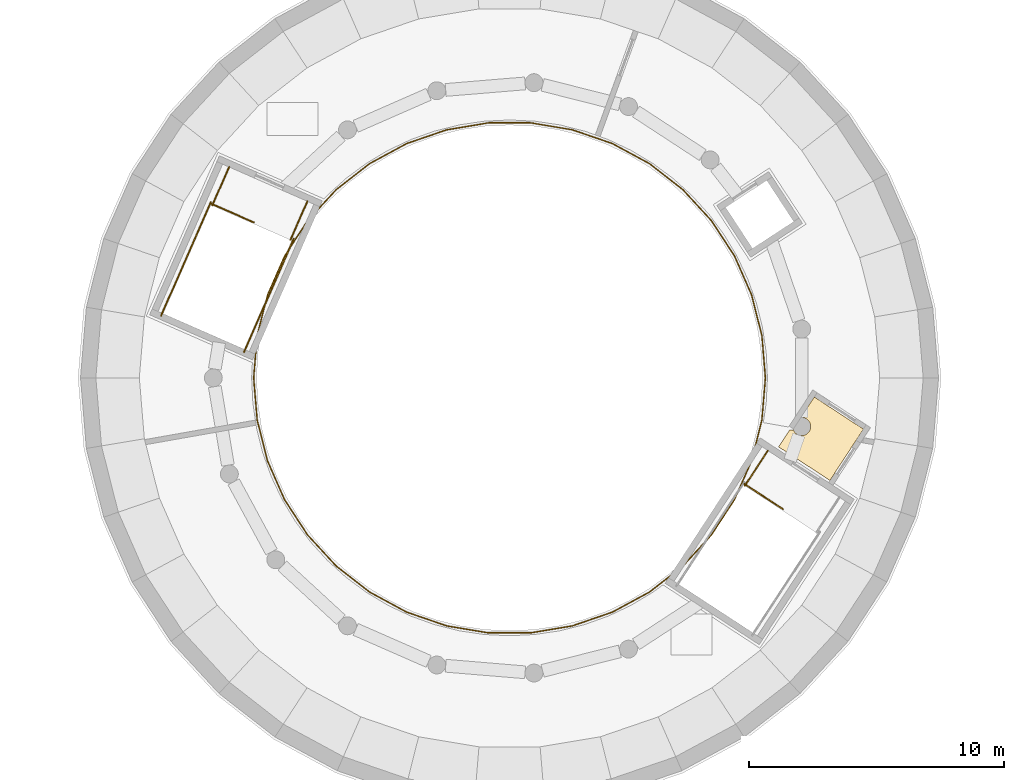
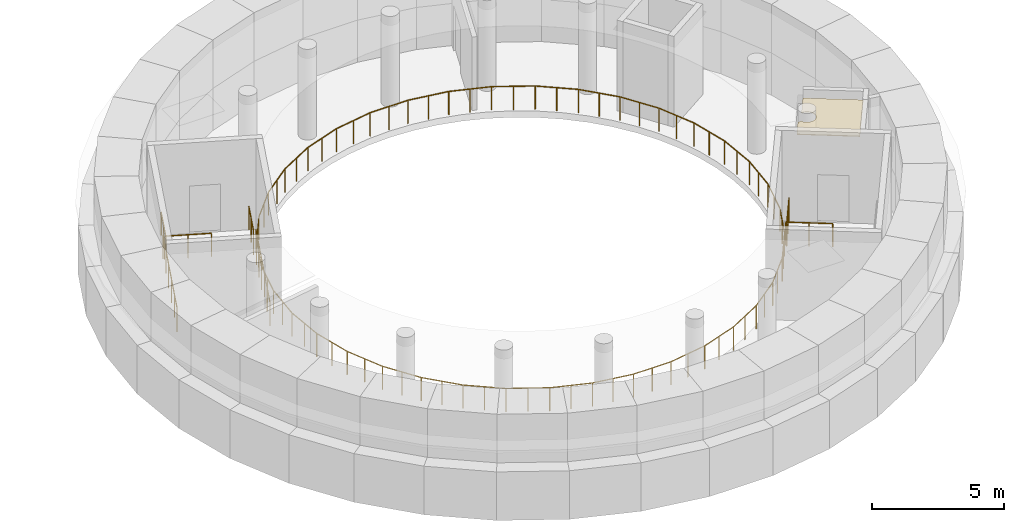
# One storey, part 87 of 92: 8 railings, 1 covering.
"""IFC4 building model written with IfcOpenShell, lengths in metres."""

from ifc_helpers import new_model, si_unit, direction, frame, origin, origin_2d, place, context, subcontext, project, spatial, polyline, circle, outline, extrude, material, layer, layer_set, type_object, element, save


model = new_model("IFC4")

# Units and contexts
model_context = context("Model", 3, precision=1e-05, world=origin(), true_north=direction((0.0, 1.0)))
body_context = subcontext(model_context, "Body", "Model", "MODEL_VIEW")
ifc_project = project(units=[si_unit("LENGTHUNIT", "METRE"), si_unit("AREAUNIT", "SQUARE_METRE"), si_unit("VOLUMEUNIT", "CUBIC_METRE"), si_unit("PLANEANGLEUNIT", "RADIAN"), si_unit("MASSUNIT", "GRAM", prefix="KILO")], contexts=[model_context])

# Site, building, storey
site_placement = place(None, origin())
site = spatial("IfcSite", under=ifc_project, at=site_placement, CompositionType="ELEMENT")
building_placement = place(site_placement, origin())
building = spatial("IfcBuilding", under=site, at=building_placement, Name="Sun Court Science Centre", CompositionType="ELEMENT")
storey_placement = place(building_placement, frame((0.0, 0.0, 11.25)))
storey = spatial("IfcBuildingStorey", under=building, at=storey_placement, Name="L02", CompositionType="ELEMENT", Elevation=11.25)

# Covering
ifc_material_1 = material(Name="Gypsum board")
ifc_layer = layer(ifc_material_1, 0.030029296875)
ifc_layer_set = layer_set([ifc_layer], Name="Gypsum board")
covering_type = type_object("IfcCoveringType", Name="Ceiling suspended 600 module", PredefinedType="CEILING", material=ifc_layer_set)
covering_placement = place(storey_placement, frame((0.0, 0.0, 3.77001953125)))
element("IfcCovering", 1, at=covering_placement, inside=storey, type_object=covering_type, Name="L02-064 ceiling", PredefinedType="CEILING", context=body_context, shape_type="SweptSolid", body=[
    extrude(outline(polyline([(61.972900390625, 94.763671875), (62.080078125, 94.74462890625), (62.107666015625, 94.787109375), (62.118408203125, 94.7568359375), (62.1279296875, 94.73583984375), (62.138671875, 94.7158203125), (62.15087890625, 94.6962890625), (62.1640625, 94.677490234375), (62.1787109375, 94.659912109375), (62.1943359375, 94.643310546875), (62.2109375, 94.627685546875), (62.228759765625, 94.613037109375), (62.247314453125, 94.599609375), (62.266845703125, 94.587646484375), (62.287109375, 94.576904296875), (62.307861328125, 94.5673828125), (62.329345703125, 94.559326171875), (62.351318359375, 94.552490234375), (62.37353515625, 94.54736328125), (62.39599609375, 94.543701171875), (62.4189453125, 94.54150390625), (62.44189453125, 94.540771484375), (62.464599609375, 94.54150390625), (62.487548828125, 94.543701171875), (62.510009765625, 94.54736328125), (62.532470703125, 94.552490234375), (62.55419921875, 94.559326171875), (62.57568359375, 94.5673828125), (62.5966796875, 94.576904296875), (62.61669921875, 94.587646484375), (62.63623046875, 94.599609375), (62.65478515625, 94.613037109375), (62.672607421875, 94.627685546875), (62.689208984375, 94.643310546875), (62.704833984375, 94.659912109375), (62.719482421875, 94.677490234375), (62.73291015625, 94.6962890625), (62.744873046875, 94.7158203125), (62.755615234375, 94.73583984375), (62.76513671875, 94.7568359375), (62.773193359375, 94.7783203125), (62.77978515625, 94.800048828125), (62.78515625, 94.822509765625), (62.788818359375, 94.844970703125), (62.791015625, 94.867919921875), (62.791748046875, 94.890625), (62.791015625, 94.91357421875), (62.788818359375, 94.936279296875), (62.78515625, 94.958984375), (62.77978515625, 94.981201171875), (62.773193359375, 95.003173828125), (62.76513671875, 95.024658203125), (62.755615234375, 95.04541015625), (62.744873046875, 95.065673828125), (62.73291015625, 95.085205078125), (62.719482421875, 95.103759765625), (62.704833984375, 95.12158203125), (62.689208984375, 95.13818359375), (62.672607421875, 95.15380859375), (62.65478515625, 95.16845703125), (62.63623046875, 95.181640625), (62.61669921875, 95.19384765625), (62.5966796875, 95.20458984375), (62.57568359375, 95.214111328125), (62.55419921875, 95.22216796875), (62.532470703125, 95.228759765625), (62.510009765625, 95.23388671875), (62.487548828125, 95.23779296875), (62.464599609375, 95.239990234375), (62.44189453125, 95.24072265625), (62.4189453125, 95.239990234375), (62.402587890625, 95.23828125), (62.93359375, 96.051025390625), (64.85888671875, 94.79296875), (63.54638671875, 92.78369140625), (61.537109375, 94.096435546875), (61.972900390625, 94.763671875)])), origin(), (0.0, 0.0, 1.0), 0.030029296875),
])

# Railings
ifc_material_2 = material(Name="Steel S275", Category="steel")
railing_type_1 = type_object("IfcRailingType", Name="Guard 1100 steel balustrade", PredefinedType="GUARDRAIL", material=ifc_material_2)
railing_1_placement = place(storey_placement, frame((60.201171875, 92.642333984375, 0.0)))
element("IfcRailing", 2, at=railing_1_placement, inside=storey, type_object=railing_type_1, Name="L02 PS1 top well guard 1", PredefinedType="GUARDRAIL", context=body_context, shape_type="SweptSolid", body=[
    extrude(circle(Radius=0.02392578125, at=origin_2d()), frame((0.0, 0.0, 1.076171875), z_axis=(0.837194382645, -0.546905444906, 0.0), x_axis=(0.546905444906, 0.837194382645, 0.0)), (0.0, 0.0, 1.0), 1.798095703125),
    extrude(circle(Radius=0.02099609375, at=origin_2d()), origin(), (0.0, 0.0, 1.0), 1.052001953125),
    extrude(circle(Radius=0.02099609375, at=origin_2d()), frame((0.752685546875, -0.49169921875, 0.0)), (0.0, 0.0, 1.0), 1.052001953125),
    extrude(circle(Radius=0.02099609375, at=origin_2d()), frame((1.50537109375, -0.9833984375, 0.0)), (0.0, 0.0, 1.0), 1.052001953125),
])
railing_2_placement = place(storey_placement, frame((61.1171875, 93.952880859375, 0.0)))
element("IfcRailing", 3, at=railing_2_placement, inside=storey, type_object=railing_type_1, Name="L02 PS1 top well guard 4", PredefinedType="GUARDRAIL", context=body_context, shape_type="SweptSolid", body=[
    extrude(circle(Radius=0.02392578125, at=origin_2d()), frame((0.0, 0.0, 1.076171875), z_axis=(-0.546949968366, -0.837165295568, 0.0), x_axis=(0.837165295568, -0.546949968366, 0.0)), (0.0, 0.0, 1.0), 1.64794921875),
    extrude(circle(Radius=0.02099609375, at=origin_2d()), origin(), (0.0, 0.0, 1.0), 1.052001953125),
    extrude(circle(Radius=0.02099609375, at=origin_2d()), frame((-0.45068359375, -0.68994140625, 0.0)), (0.0, 0.0, 1.0), 1.052001953125),
    extrude(circle(Radius=0.02099609375, at=origin_2d()), frame((-0.9013671875, -1.379638671875, 0.0)), (0.0, 0.0, 1.0), 1.052001953125),
])
railing_3_placement = place(storey_placement, frame((39.3310546875, 103.61328125, 0.0)))
element("IfcRailing", 4, at=railing_3_placement, inside=storey, type_object=railing_type_1, Name="L02 PS2 top well guard 1", PredefinedType="GUARDRAIL", context=body_context, shape_type="SweptSolid", body=[
    extrude(circle(Radius=0.02392578125, at=origin_2d()), frame((0.0, 0.0, 1.076171875), z_axis=(0.915732995929, -0.401787356903, 0.0), x_axis=(0.401787356903, 0.915732995929, 0.0)), (0.0, 0.0, 1.0), 1.798095703125),
    extrude(circle(Radius=0.02099609375, at=origin_2d()), origin(), (0.0, 0.0, 1.0), 1.052001953125),
    extrude(circle(Radius=0.02099609375, at=origin_2d()), frame((0.8232421875, -0.361328125, 0.0)), (0.0, 0.0, 1.0), 1.052001953125),
    extrude(circle(Radius=0.02099609375, at=origin_2d()), frame((1.646484375, -0.722412109375, 0.0)), (0.0, 0.0, 1.0), 1.052001953125),
])
for number, where, name in (
    (5, (39.305419921875, 103.67919921875, 0.0), "L02 PS2 top well guard 2"),
    (6, (42.552734375, 102.254638671875, 0.0), "L02 PS2 top well guard 3"),
):
    element("IfcRailing", number, at=place(storey_placement, frame(where)), inside=storey, type_object=railing_type_1, Name=name, PredefinedType="GUARDRAIL", context=body_context, shape_type="SweptSolid", body=[
        extrude(circle(Radius=0.02392578125, at=origin_2d()), frame((0.0, 0.0, 1.076171875), z_axis=(-0.401726643108, -0.915759632336, 0.0), x_axis=(0.915759632336, -0.401726643108, 0.0)), (0.0, 0.0, 1.0), 4.85205078125),
        extrude(circle(Radius=0.02099609375, at=origin_2d()), origin(), (0.0, 0.0, 1.0), 1.052001953125),
        extrude(circle(Radius=0.02099609375, at=origin_2d()), frame((-0.389892578125, -0.888671875, 0.0)), (0.0, 0.0, 1.0), 1.052001953125),
        extrude(circle(Radius=0.02099609375, at=origin_2d()), frame((-0.77978515625, -1.77734375, 0.0)), (0.0, 0.0, 1.0), 1.052001953125),
        extrude(circle(Radius=0.02099609375, at=origin_2d()), frame((-1.16943359375, -2.666015625, 0.0)), (0.0, 0.0, 1.0), 1.052001953125),
        extrude(circle(Radius=0.02099609375, at=origin_2d()), frame((-1.559326171875, -3.5546875, 0.0)), (0.0, 0.0, 1.0), 1.052001953125),
        extrude(circle(Radius=0.02099609375, at=origin_2d()), frame((-1.94921875, -4.443359375, 0.0)), (0.0, 0.0, 1.0), 1.052001953125),
    ])
railing_4_placement = place(storey_placement, frame((40.018798828125, 105.056640625, 0.0)))
element("IfcRailing", 7, at=railing_4_placement, inside=storey, type_object=railing_type_1, Name="L02 PS2 top well guard 4", PredefinedType="GUARDRAIL", context=body_context, shape_type="SweptSolid", body=[
    extrude(circle(Radius=0.02392578125, at=origin_2d()), frame((0.0, 0.0, 1.076171875), z_axis=(-0.401735598305, -0.915755703807, 0.0), x_axis=(0.915755703807, -0.401735598305, 0.0)), (0.0, 0.0, 1.0), 1.648193359375),
    extrude(circle(Radius=0.02099609375, at=origin_2d()), origin(), (0.0, 0.0, 1.0), 1.052001953125),
    extrude(circle(Radius=0.02099609375, at=origin_2d()), frame((-0.3310546875, -0.754638671875, 0.0)), (0.0, 0.0, 1.0), 1.052001953125),
    extrude(circle(Radius=0.02099609375, at=origin_2d()), frame((-0.662109375, -1.50927734375, 0.0)), (0.0, 0.0, 1.0), 1.052001953125),
])
railing_5_placement = place(storey_placement, frame((43.082763671875, 103.71240234375, 0.0)))
element("IfcRailing", 8, at=railing_5_placement, inside=storey, type_object=railing_type_1, Name="L02 PS2 top well guard 5", PredefinedType="GUARDRAIL", context=body_context, shape_type="SweptSolid", body=[
    extrude(circle(Radius=0.02392578125, at=origin_2d()), frame((0.0, 0.0, 1.076171875), z_axis=(-0.401665855022, -0.915786296529, 0.0), x_axis=(0.915786296529, -0.401665855022, 0.0)), (0.0, 0.0, 1.0), 1.647705078125),
    extrude(circle(Radius=0.02099609375, at=origin_2d()), origin(), (0.0, 0.0, 1.0), 1.052001953125),
    extrude(circle(Radius=0.02099609375, at=origin_2d()), frame((-0.3310546875, -0.75439453125, 0.0)), (0.0, 0.0, 1.0), 1.052001953125),
    extrude(circle(Radius=0.02099609375, at=origin_2d()), frame((-0.661865234375, -1.509033203125, 0.0)), (0.0, 0.0, 1.0), 1.052001953125),
])
ifc_material_3 = material(Name="Steel S275", Category="steel")
railing_type_2 = type_object("IfcRailingType", Name="Guard 1100 well balustrade", PredefinedType="GUARDRAIL", material=ifc_material_3)
railing_6_placement = place(storey_placement, frame((60.88330078125, 98.44921875, 0.0)))
element("IfcRailing", 9, at=railing_6_placement, inside=storey, type_object=railing_type_2, Name="Planetarium gallery guard L02", PredefinedType="GUARDRAIL", context=body_context, shape_type="SweptSolid", body=[
    extrude(circle(Radius=0.02392578125, at=origin_2d()), frame((0.0, 0.0, 1.076171875), z_axis=(-0.245485044734, 0.969400377972, 0.0), x_axis=(-0.969400377972, -0.245485044734, 0.0)), (0.0, 0.0, 1.0), 1.65478515625),
    extrude(circle(Radius=0.02392578125, at=origin_2d()), frame((-0.40625, 1.604248046875, 1.076171875), z_axis=(-0.401685370109, 0.915777736921, 0.0), x_axis=(-0.915777736921, -0.401685370109, 0.0)), (0.0, 0.0, 1.0), 1.655029296875),
    extrude(circle(Radius=0.02392578125, at=origin_2d()), frame((-1.071044921875, 3.119873046875, 1.076171875), z_axis=(-0.546947205262, 0.837167100797, 0.0), x_axis=(-0.837167100797, -0.546947205262, 0.0)), (0.0, 0.0, 1.0), 1.65478515625),
    extrude(circle(Radius=0.02392578125, at=origin_2d()), frame((-1.97607421875, 4.505126953125, 1.076171875), z_axis=(-0.677292998074, 0.735713391722, 0.0), x_axis=(-0.735713391722, -0.677292998074, 0.0)), (0.0, 0.0, 1.0), 1.65478515625),
    extrude(circle(Radius=0.02392578125, at=origin_2d()), frame((-3.096923828125, 5.72265625, 1.076171875), z_axis=(-0.789090011896, 0.614277586378, 0.0), x_axis=(-0.614277586378, -0.789090011896, 0.0)), (0.0, 0.0, 1.0), 1.655029296875),
    extrude(circle(Radius=0.02392578125, at=origin_2d()), frame((-4.40283203125, 6.7392578125, 1.076171875), z_axis=(-0.879502959788, 0.475893416349, 0.0), x_axis=(-0.475893416349, -0.879502959788, 0.0)), (0.0, 0.0, 1.0), 1.655029296875),
    extrude(circle(Radius=0.02392578125, at=origin_2d()), frame((-5.8583984375, 7.52685546875, 1.076171875), z_axis=(-0.945812669193, 0.32471278816, 0.0), x_axis=(-0.32471278816, -0.945812669193, 0.0)), (0.0, 0.0, 1.0), 1.65478515625),
    extrude(circle(Radius=0.02392578125, at=origin_2d()), frame((-7.423583984375, 8.064208984375, 1.076171875), z_axis=(-0.986354023125, 0.164638212654, 0.0), x_axis=(-0.164638212654, -0.986354023125, 0.0)), (0.0, 0.0, 1.0), 1.65478515625),
    extrude(circle(Radius=0.02392578125, at=origin_2d()), frame((-9.055908203125, 8.336669921875, 1.076171875), z_axis=(-1.0, 0.0, 0.0), x_axis=(0.0, -1.0, 0.0)), (0.0, 0.0, 1.0), 1.65478515625),
    extrude(circle(Radius=0.02392578125, at=origin_2d()), frame((-10.710693359375, 8.336669921875, 1.076171875), z_axis=(-0.986354023125, -0.164638212654, 0.0), x_axis=(0.164638212654, -0.986354023125, 0.0)), (0.0, 0.0, 1.0), 1.65478515625),
    extrude(circle(Radius=0.02392578125, at=origin_2d()), frame((-12.343017578125, 8.064208984375, 1.076171875), z_axis=(-0.945812669193, -0.32471278816, 0.0), x_axis=(0.32471278816, -0.945812669193, 0.0)), (0.0, 0.0, 1.0), 1.65478515625),
    extrude(circle(Radius=0.02392578125, at=origin_2d()), frame((-13.908203125, 7.52685546875, 1.076171875), z_axis=(-0.879502959788, -0.475893416349, 0.0), x_axis=(0.475893416349, -0.879502959788, 0.0)), (0.0, 0.0, 1.0), 1.655029296875),
    extrude(circle(Radius=0.02392578125, at=origin_2d()), frame((-15.36376953125, 6.7392578125, 1.076171875), z_axis=(-0.789090011896, -0.614277586378, 0.0), x_axis=(0.614277586378, -0.789090011896, 0.0)), (0.0, 0.0, 1.0), 1.655029296875),
    extrude(circle(Radius=0.02392578125, at=origin_2d()), frame((-16.669677734375, 5.72265625, 1.076171875), z_axis=(-0.677292998074, -0.735713391722, 0.0), x_axis=(0.735713391722, -0.677292998074, 0.0)), (0.0, 0.0, 1.0), 1.65478515625),
    extrude(circle(Radius=0.02392578125, at=origin_2d()), frame((-17.79052734375, 4.505126953125, 1.076171875), z_axis=(-0.546947205262, -0.837167100797, 0.0), x_axis=(0.837167100797, -0.546947205262, 0.0)), (0.0, 0.0, 1.0), 1.65478515625),
    extrude(circle(Radius=0.02392578125, at=origin_2d()), frame((-18.695556640625, 3.119873046875, 1.076171875), z_axis=(-0.401685370109, -0.915777736921, 0.0), x_axis=(0.915777736921, -0.401685370109, 0.0)), (0.0, 0.0, 1.0), 1.655029296875),
    extrude(circle(Radius=0.02392578125, at=origin_2d()), frame((-19.3603515625, 1.604248046875, 1.076171875), z_axis=(-0.245485044734, -0.969400377972, 0.0), x_axis=(0.969400377972, -0.245485044734, 0.0)), (0.0, 0.0, 1.0), 1.65478515625),
    extrude(circle(Radius=0.02392578125, at=origin_2d()), frame((-19.7666015625, 0.0, 1.076171875), z_axis=(-0.082618137027, -0.996581277887, 0.0), x_axis=(0.996581277887, -0.082618137027, 0.0)), (0.0, 0.0, 1.0), 1.65478515625),
    extrude(circle(Radius=0.02392578125, at=origin_2d()), frame((-19.9033203125, -1.649169921875, 1.076171875), z_axis=(0.082618137027, -0.996581277887, 0.0), x_axis=(0.996581277887, 0.082618137027, 0.0)), (0.0, 0.0, 1.0), 1.65478515625),
    extrude(circle(Radius=0.02392578125, at=origin_2d()), frame((-19.7666015625, -3.29833984375, 1.076171875), z_axis=(0.245485044734, -0.969400377972, 0.0), x_axis=(0.969400377972, 0.245485044734, 0.0)), (0.0, 0.0, 1.0), 1.65478515625),
    extrude(circle(Radius=0.02392578125, at=origin_2d()), frame((-19.3603515625, -4.902587890625, 1.076171875), z_axis=(0.401685370109, -0.915777736921, 0.0), x_axis=(0.915777736921, 0.401685370109, 0.0)), (0.0, 0.0, 1.0), 1.655029296875),
    extrude(circle(Radius=0.02392578125, at=origin_2d()), frame((-18.695556640625, -6.418212890625, 1.076171875), z_axis=(0.546879653265, -0.83721123072, 0.0), x_axis=(0.83721123072, 0.546879653265, 0.0)), (0.0, 0.0, 1.0), 1.65478515625),
    extrude(circle(Radius=0.02392578125, at=origin_2d()), frame((-17.79052734375, -7.8037109375, 1.076171875), z_axis=(0.677292998074, -0.735713391722, 0.0), x_axis=(0.735713391722, 0.677292998074, 0.0)), (0.0, 0.0, 1.0), 1.65478515625),
    extrude(circle(Radius=0.02392578125, at=origin_2d()), frame((-16.669677734375, -9.021240234375, 1.076171875), z_axis=(0.78916151947, -0.614185717994, 0.0), x_axis=(0.614185717994, 0.78916151947, 0.0)), (0.0, 0.0, 1.0), 1.65478515625),
    extrude(circle(Radius=0.02392578125, at=origin_2d()), frame((-15.36376953125, -10.03759765625, 1.076171875), z_axis=(0.879502959788, -0.475893416349, 0.0), x_axis=(0.475893416349, 0.879502959788, 0.0)), (0.0, 0.0, 1.0), 1.655029296875),
    extrude(circle(Radius=0.02392578125, at=origin_2d()), frame((-13.908203125, -10.8251953125, 1.076171875), z_axis=(0.945812669193, -0.32471278816, 0.0), x_axis=(0.32471278816, 0.945812669193, 0.0)), (0.0, 0.0, 1.0), 1.65478515625),
    extrude(circle(Radius=0.02392578125, at=origin_2d()), frame((-12.343017578125, -11.362548828125, 1.076171875), z_axis=(0.986354023125, -0.164638212654, 0.0), x_axis=(0.164638212654, 0.986354023125, 0.0)), (0.0, 0.0, 1.0), 1.65478515625),
    extrude(circle(Radius=0.02392578125, at=origin_2d()), frame((-10.710693359375, -11.635009765625, 1.076171875), z_axis=(1.0, 0.0, 0.0), x_axis=(0.0, 1.0, 0.0)), (0.0, 0.0, 1.0), 1.65478515625),
    extrude(circle(Radius=0.02392578125, at=origin_2d()), frame((-9.055908203125, -11.635009765625, 1.076171875), z_axis=(0.986354023125, 0.164638212654, 0.0), x_axis=(-0.164638212654, 0.986354023125, 0.0)), (0.0, 0.0, 1.0), 1.65478515625),
    extrude(circle(Radius=0.02392578125, at=origin_2d()), frame((-7.423583984375, -11.362548828125, 1.076171875), z_axis=(0.945812669193, 0.32471278816, 0.0), x_axis=(-0.32471278816, 0.945812669193, 0.0)), (0.0, 0.0, 1.0), 1.65478515625),
    extrude(circle(Radius=0.02392578125, at=origin_2d()), frame((-5.8583984375, -10.8251953125, 1.076171875), z_axis=(0.879502959788, 0.475893416349, 0.0), x_axis=(-0.475893416349, 0.879502959788, 0.0)), (0.0, 0.0, 1.0), 1.655029296875),
    extrude(circle(Radius=0.02392578125, at=origin_2d()), frame((-4.40283203125, -10.03759765625, 1.076171875), z_axis=(0.78916151947, 0.614185717994, 0.0), x_axis=(-0.614185717994, 0.78916151947, 0.0)), (0.0, 0.0, 1.0), 1.65478515625),
    extrude(circle(Radius=0.02392578125, at=origin_2d()), frame((-3.096923828125, -9.021240234375, 1.076171875), z_axis=(0.677292998074, 0.735713391722, 0.0), x_axis=(-0.735713391722, 0.677292998074, 0.0)), (0.0, 0.0, 1.0), 1.65478515625),
    extrude(circle(Radius=0.02392578125, at=origin_2d()), frame((-1.97607421875, -7.8037109375, 1.076171875), z_axis=(0.546879653265, 0.83721123072, 0.0), x_axis=(-0.83721123072, 0.546879653265, 0.0)), (0.0, 0.0, 1.0), 1.65478515625),
    extrude(circle(Radius=0.02392578125, at=origin_2d()), frame((-1.071044921875, -6.418212890625, 1.076171875), z_axis=(0.401685370109, 0.915777736921, 0.0), x_axis=(-0.915777736921, 0.401685370109, 0.0)), (0.0, 0.0, 1.0), 1.655029296875),
    extrude(circle(Radius=0.02392578125, at=origin_2d()), frame((-0.40625, -4.902587890625, 1.076171875), z_axis=(0.245485044734, 0.969400377972, 0.0), x_axis=(-0.969400377972, 0.245485044734, 0.0)), (0.0, 0.0, 1.0), 1.65478515625),
    extrude(circle(Radius=0.02392578125, at=origin_2d()), frame((0.0, -3.29833984375, 1.076171875), z_axis=(0.082618137027, 0.996581277887, 0.0), x_axis=(-0.996581277887, 0.082618137027, 0.0)), (0.0, 0.0, 1.0), 1.65478515625),
    extrude(circle(Radius=0.02392578125, at=origin_2d()), frame((0.13671875, -1.649169921875, 1.076171875), z_axis=(-0.082618137027, 0.996581277887, 0.0), x_axis=(-0.996581277887, -0.082618137027, 0.0)), (0.0, 0.0, 1.0), 1.65478515625),
    extrude(circle(Radius=0.02099609375, at=origin_2d()), origin(), (0.0, 0.0, 1.0), 1.052001953125),
    extrude(circle(Radius=0.02099609375, at=origin_2d()), frame((-0.203125, 0.80224609375, 0.0)), (0.0, 0.0, 1.0), 1.052001953125),
    extrude(circle(Radius=0.02099609375, at=origin_2d()), frame((-0.40625, 1.604248046875, 0.0)), (0.0, 0.0, 1.0), 1.052001953125),
    extrude(circle(Radius=0.02099609375, at=origin_2d()), frame((-0.73876953125, 2.362060546875, 0.0)), (0.0, 0.0, 1.0), 1.052001953125),
    extrude(circle(Radius=0.02099609375, at=origin_2d()), frame((-1.071044921875, 3.119873046875, 0.0)), (0.0, 0.0, 1.0), 1.052001953125),
    extrude(circle(Radius=0.02099609375, at=origin_2d()), frame((-1.5234375, 3.8125, 0.0)), (0.0, 0.0, 1.0), 1.052001953125),
    extrude(circle(Radius=0.02099609375, at=origin_2d()), frame((-1.97607421875, 4.505126953125, 0.0)), (0.0, 0.0, 1.0), 1.052001953125),
    extrude(circle(Radius=0.02099609375, at=origin_2d()), frame((-2.53662109375, 5.11376953125, 0.0)), (0.0, 0.0, 1.0), 1.052001953125),
    extrude(circle(Radius=0.02099609375, at=origin_2d()), frame((-3.096923828125, 5.72265625, 0.0)), (0.0, 0.0, 1.0), 1.052001953125),
    extrude(circle(Radius=0.02099609375, at=origin_2d()), frame((-3.75, 6.23095703125, 0.0)), (0.0, 0.0, 1.0), 1.052001953125),
    extrude(circle(Radius=0.02099609375, at=origin_2d()), frame((-4.40283203125, 6.7392578125, 0.0)), (0.0, 0.0, 1.0), 1.052001953125),
    extrude(circle(Radius=0.02099609375, at=origin_2d()), frame((-5.130615234375, 7.133056640625, 0.0)), (0.0, 0.0, 1.0), 1.052001953125),
    extrude(circle(Radius=0.02099609375, at=origin_2d()), frame((-5.8583984375, 7.52685546875, 0.0)), (0.0, 0.0, 1.0), 1.052001953125),
    extrude(circle(Radius=0.02099609375, at=origin_2d()), frame((-6.64111328125, 7.79541015625, 0.0)), (0.0, 0.0, 1.0), 1.052001953125),
    extrude(circle(Radius=0.02099609375, at=origin_2d()), frame((-7.423583984375, 8.064208984375, 0.0)), (0.0, 0.0, 1.0), 1.052001953125),
    extrude(circle(Radius=0.02099609375, at=origin_2d()), frame((-8.23974609375, 8.200439453125, 0.0)), (0.0, 0.0, 1.0), 1.052001953125),
    extrude(circle(Radius=0.02099609375, at=origin_2d()), frame((-9.055908203125, 8.336669921875, 0.0)), (0.0, 0.0, 1.0), 1.052001953125),
    extrude(circle(Radius=0.02099609375, at=origin_2d()), frame((-9.88330078125, 8.336669921875, 0.0)), (0.0, 0.0, 1.0), 1.052001953125),
    extrude(circle(Radius=0.02099609375, at=origin_2d()), frame((-10.710693359375, 8.336669921875, 0.0)), (0.0, 0.0, 1.0), 1.052001953125),
    extrude(circle(Radius=0.02099609375, at=origin_2d()), frame((-11.52685546875, 8.200439453125, 0.0)), (0.0, 0.0, 1.0), 1.052001953125),
    extrude(circle(Radius=0.02099609375, at=origin_2d()), frame((-12.343017578125, 8.064208984375, 0.0)), (0.0, 0.0, 1.0), 1.052001953125),
    extrude(circle(Radius=0.02099609375, at=origin_2d()), frame((-13.12548828125, 7.79541015625, 0.0)), (0.0, 0.0, 1.0), 1.052001953125),
    extrude(circle(Radius=0.02099609375, at=origin_2d()), frame((-13.908203125, 7.52685546875, 0.0)), (0.0, 0.0, 1.0), 1.052001953125),
    extrude(circle(Radius=0.02099609375, at=origin_2d()), frame((-14.635986328125, 7.133056640625, 0.0)), (0.0, 0.0, 1.0), 1.052001953125),
    extrude(circle(Radius=0.02099609375, at=origin_2d()), frame((-15.36376953125, 6.7392578125, 0.0)), (0.0, 0.0, 1.0), 1.052001953125),
    extrude(circle(Radius=0.02099609375, at=origin_2d()), frame((-16.0166015625, 6.23095703125, 0.0)), (0.0, 0.0, 1.0), 1.052001953125),
    extrude(circle(Radius=0.02099609375, at=origin_2d()), frame((-16.669677734375, 5.72265625, 0.0)), (0.0, 0.0, 1.0), 1.052001953125),
    extrude(circle(Radius=0.02099609375, at=origin_2d()), frame((-17.22998046875, 5.11376953125, 0.0)), (0.0, 0.0, 1.0), 1.052001953125),
    extrude(circle(Radius=0.02099609375, at=origin_2d()), frame((-17.79052734375, 4.505126953125, 0.0)), (0.0, 0.0, 1.0), 1.052001953125),
    extrude(circle(Radius=0.02099609375, at=origin_2d()), frame((-18.2431640625, 3.8125, 0.0)), (0.0, 0.0, 1.0), 1.052001953125),
    extrude(circle(Radius=0.02099609375, at=origin_2d()), frame((-18.695556640625, 3.119873046875, 0.0)), (0.0, 0.0, 1.0), 1.052001953125),
    extrude(circle(Radius=0.02099609375, at=origin_2d()), frame((-19.02783203125, 2.362060546875, 0.0)), (0.0, 0.0, 1.0), 1.052001953125),
    extrude(circle(Radius=0.02099609375, at=origin_2d()), frame((-19.3603515625, 1.604248046875, 0.0)), (0.0, 0.0, 1.0), 1.052001953125),
    extrude(circle(Radius=0.02099609375, at=origin_2d()), frame((-19.5634765625, 0.80224609375, 0.0)), (0.0, 0.0, 1.0), 1.052001953125),
    extrude(circle(Radius=0.02099609375, at=origin_2d()), frame((-19.7666015625, 0.0, 0.0)), (0.0, 0.0, 1.0), 1.052001953125),
    extrude(circle(Radius=0.02099609375, at=origin_2d()), frame((-19.8349609375, -0.82470703125, 0.0)), (0.0, 0.0, 1.0), 1.052001953125),
    extrude(circle(Radius=0.02099609375, at=origin_2d()), frame((-19.9033203125, -1.649169921875, 0.0)), (0.0, 0.0, 1.0), 1.052001953125),
    extrude(circle(Radius=0.02099609375, at=origin_2d()), frame((-19.8349609375, -2.4736328125, 0.0)), (0.0, 0.0, 1.0), 1.052001953125),
    extrude(circle(Radius=0.02099609375, at=origin_2d()), frame((-19.7666015625, -3.29833984375, 0.0)), (0.0, 0.0, 1.0), 1.052001953125),
    extrude(circle(Radius=0.02099609375, at=origin_2d()), frame((-19.5634765625, -4.1005859375, 0.0)), (0.0, 0.0, 1.0), 1.052001953125),
    extrude(circle(Radius=0.02099609375, at=origin_2d()), frame((-19.3603515625, -4.902587890625, 0.0)), (0.0, 0.0, 1.0), 1.052001953125),
    extrude(circle(Radius=0.02099609375, at=origin_2d()), frame((-19.02783203125, -5.660400390625, 0.0)), (0.0, 0.0, 1.0), 1.052001953125),
    extrude(circle(Radius=0.02099609375, at=origin_2d()), frame((-18.695556640625, -6.418212890625, 0.0)), (0.0, 0.0, 1.0), 1.052001953125),
    extrude(circle(Radius=0.02099609375, at=origin_2d()), frame((-18.2431640625, -7.11083984375, 0.0)), (0.0, 0.0, 1.0), 1.052001953125),
    extrude(circle(Radius=0.02099609375, at=origin_2d()), frame((-17.79052734375, -7.8037109375, 0.0)), (0.0, 0.0, 1.0), 1.052001953125),
    extrude(circle(Radius=0.02099609375, at=origin_2d()), frame((-17.22998046875, -8.41259765625, 0.0)), (0.0, 0.0, 1.0), 1.052001953125),
    extrude(circle(Radius=0.02099609375, at=origin_2d()), frame((-16.669677734375, -9.021240234375, 0.0)), (0.0, 0.0, 1.0), 1.052001953125),
    extrude(circle(Radius=0.02099609375, at=origin_2d()), frame((-16.0166015625, -9.529296875, 0.0)), (0.0, 0.0, 1.0), 1.052001953125),
    extrude(circle(Radius=0.02099609375, at=origin_2d()), frame((-15.36376953125, -10.03759765625, 0.0)), (0.0, 0.0, 1.0), 1.052001953125),
    extrude(circle(Radius=0.02099609375, at=origin_2d()), frame((-14.635986328125, -10.431396484375, 0.0)), (0.0, 0.0, 1.0), 1.052001953125),
    extrude(circle(Radius=0.02099609375, at=origin_2d()), frame((-13.908203125, -10.8251953125, 0.0)), (0.0, 0.0, 1.0), 1.052001953125),
    extrude(circle(Radius=0.02099609375, at=origin_2d()), frame((-13.12548828125, -11.09375, 0.0)), (0.0, 0.0, 1.0), 1.052001953125),
    extrude(circle(Radius=0.02099609375, at=origin_2d()), frame((-12.343017578125, -11.362548828125, 0.0)), (0.0, 0.0, 1.0), 1.052001953125),
    extrude(circle(Radius=0.02099609375, at=origin_2d()), frame((-11.52685546875, -11.498779296875, 0.0)), (0.0, 0.0, 1.0), 1.052001953125),
    extrude(circle(Radius=0.02099609375, at=origin_2d()), frame((-10.710693359375, -11.635009765625, 0.0)), (0.0, 0.0, 1.0), 1.052001953125),
    extrude(circle(Radius=0.02099609375, at=origin_2d()), frame((-9.88330078125, -11.635009765625, 0.0)), (0.0, 0.0, 1.0), 1.052001953125),
    extrude(circle(Radius=0.02099609375, at=origin_2d()), frame((-9.055908203125, -11.635009765625, 0.0)), (0.0, 0.0, 1.0), 1.052001953125),
    extrude(circle(Radius=0.02099609375, at=origin_2d()), frame((-8.23974609375, -11.498779296875, 0.0)), (0.0, 0.0, 1.0), 1.052001953125),
    extrude(circle(Radius=0.02099609375, at=origin_2d()), frame((-7.423583984375, -11.362548828125, 0.0)), (0.0, 0.0, 1.0), 1.052001953125),
    extrude(circle(Radius=0.02099609375, at=origin_2d()), frame((-6.64111328125, -11.09375, 0.0)), (0.0, 0.0, 1.0), 1.052001953125),
    extrude(circle(Radius=0.02099609375, at=origin_2d()), frame((-5.8583984375, -10.8251953125, 0.0)), (0.0, 0.0, 1.0), 1.052001953125),
    extrude(circle(Radius=0.02099609375, at=origin_2d()), frame((-5.130615234375, -10.431396484375, 0.0)), (0.0, 0.0, 1.0), 1.052001953125),
    extrude(circle(Radius=0.02099609375, at=origin_2d()), frame((-4.40283203125, -10.03759765625, 0.0)), (0.0, 0.0, 1.0), 1.052001953125),
    extrude(circle(Radius=0.02099609375, at=origin_2d()), frame((-3.75, -9.529296875, 0.0)), (0.0, 0.0, 1.0), 1.052001953125),
    extrude(circle(Radius=0.02099609375, at=origin_2d()), frame((-3.096923828125, -9.021240234375, 0.0)), (0.0, 0.0, 1.0), 1.052001953125),
    extrude(circle(Radius=0.02099609375, at=origin_2d()), frame((-2.53662109375, -8.41259765625, 0.0)), (0.0, 0.0, 1.0), 1.052001953125),
    extrude(circle(Radius=0.02099609375, at=origin_2d()), frame((-1.97607421875, -7.8037109375, 0.0)), (0.0, 0.0, 1.0), 1.052001953125),
    extrude(circle(Radius=0.02099609375, at=origin_2d()), frame((-1.5234375, -7.11083984375, 0.0)), (0.0, 0.0, 1.0), 1.052001953125),
    extrude(circle(Radius=0.02099609375, at=origin_2d()), frame((-1.071044921875, -6.418212890625, 0.0)), (0.0, 0.0, 1.0), 1.052001953125),
    extrude(circle(Radius=0.02099609375, at=origin_2d()), frame((-0.73876953125, -5.660400390625, 0.0)), (0.0, 0.0, 1.0), 1.052001953125),
    extrude(circle(Radius=0.02099609375, at=origin_2d()), frame((-0.40625, -4.902587890625, 0.0)), (0.0, 0.0, 1.0), 1.052001953125),
    extrude(circle(Radius=0.02099609375, at=origin_2d()), frame((-0.203125, -4.1005859375, 0.0)), (0.0, 0.0, 1.0), 1.052001953125),
    extrude(circle(Radius=0.02099609375, at=origin_2d()), frame((0.0, -3.29833984375, 0.0)), (0.0, 0.0, 1.0), 1.052001953125),
    extrude(circle(Radius=0.02099609375, at=origin_2d()), frame((0.068359375, -2.4736328125, 0.0)), (0.0, 0.0, 1.0), 1.052001953125),
    extrude(circle(Radius=0.02099609375, at=origin_2d()), frame((0.13671875, -1.649169921875, 0.0)), (0.0, 0.0, 1.0), 1.052001953125),
    extrude(circle(Radius=0.02099609375, at=origin_2d()), frame((0.068359375, -0.82470703125, 0.0)), (0.0, 0.0, 1.0), 1.052001953125),
])

save(model, "model.ifc")
